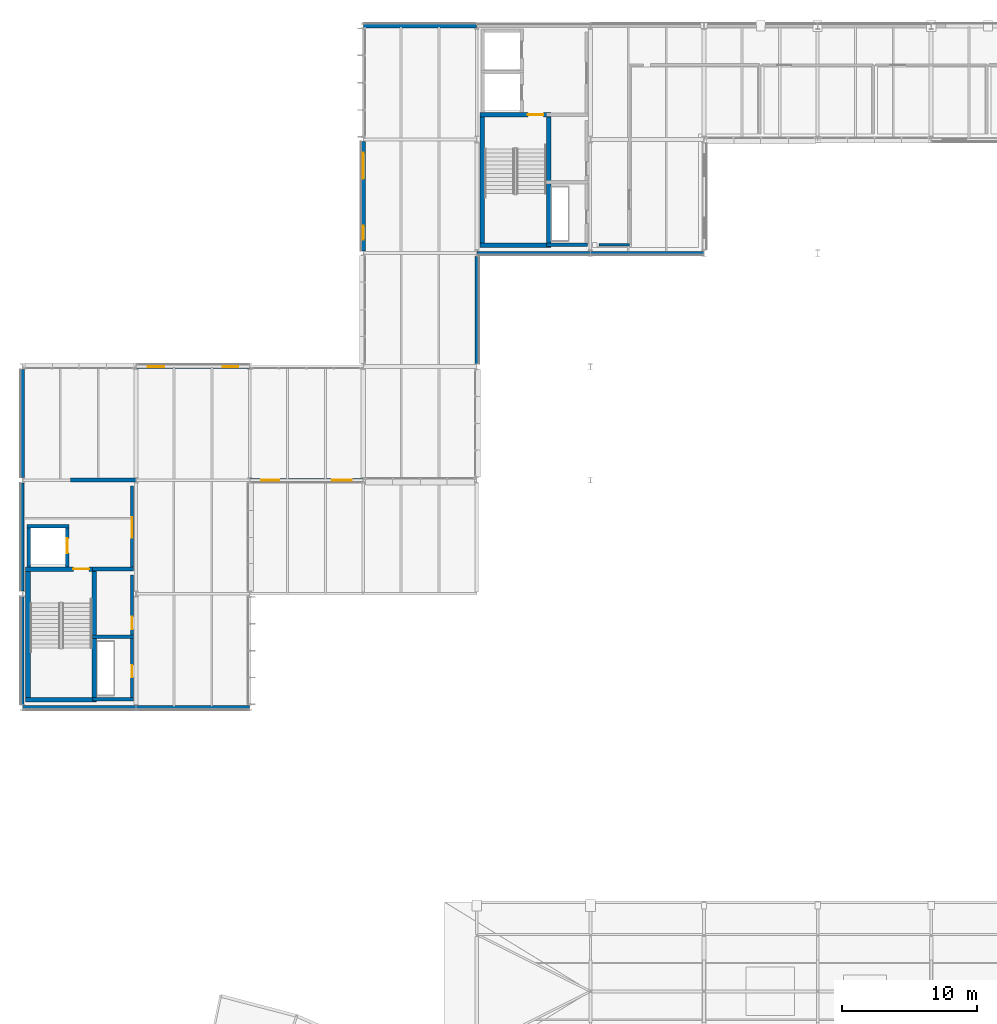
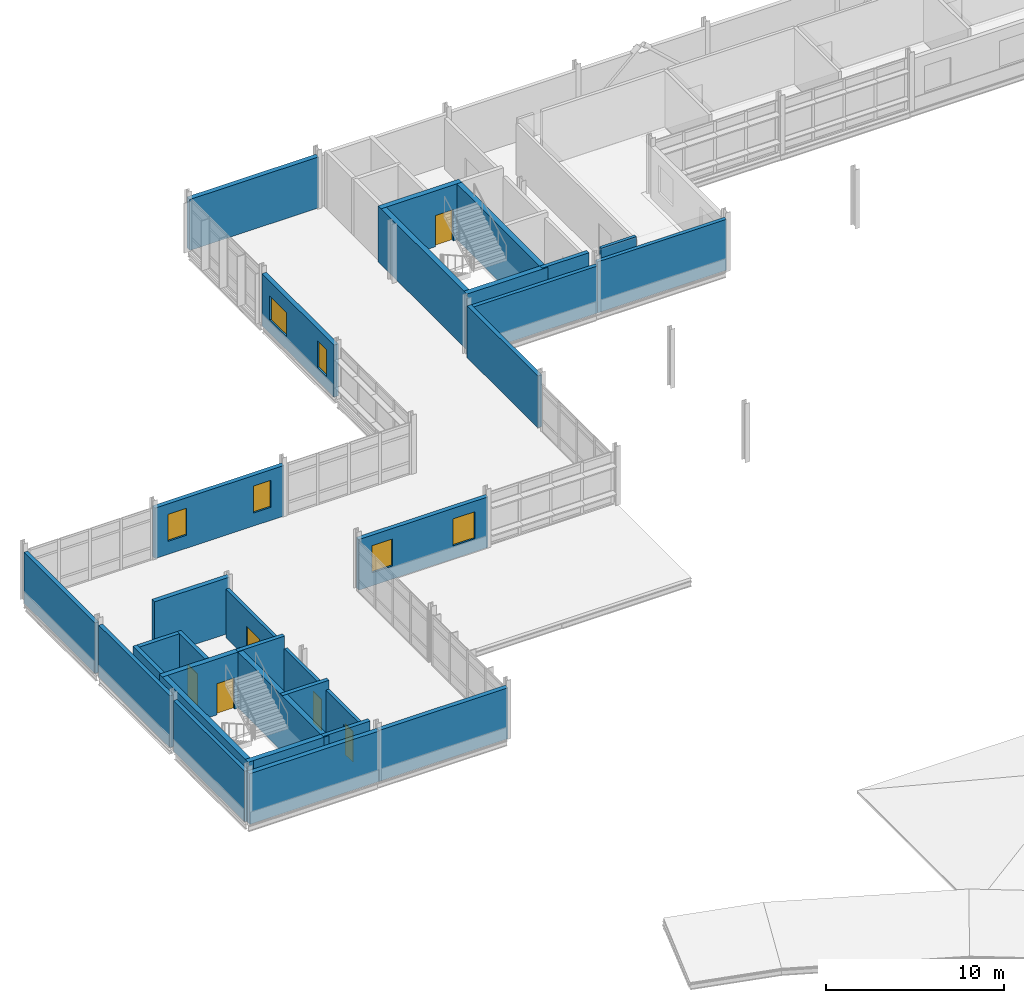
# One storey, part 124 of 151: 32 walls, 6 doors, 6 windows, 12 openings.
"""IFC4 building model written with IfcOpenShell, lengths in metres."""

from ifc_helpers import new_model, si_unit, direction, frame, frame_2d, origin, place, context, subcontext, project, spatial, rectangle, extrude, material, layer, layer_set, type_object, element, fill, save


model = new_model("IFC4")

# Units and contexts
model_context = context("Model", 3, precision=1e-05, world=origin(), true_north=direction((0.0, 1.0)))
body_context = subcontext(model_context, "Body", "Model", "MODEL_VIEW")
ifc_project = project(units=[si_unit("LENGTHUNIT", "METRE"), si_unit("AREAUNIT", "SQUARE_METRE"), si_unit("VOLUMEUNIT", "CUBIC_METRE"), si_unit("PLANEANGLEUNIT", "RADIAN"), si_unit("MASSUNIT", "GRAM", prefix="KILO")], contexts=[model_context])

# Site, building, storey
site_placement = place(None, origin())
site = spatial("IfcSite", under=ifc_project, at=site_placement, CompositionType="ELEMENT")
building_placement = place(site_placement, origin())
building = spatial("IfcBuilding", under=site, at=building_placement, Name="Mersafa Astral City Hall", CompositionType="ELEMENT")
storey_placement = place(building_placement, frame((0.0, 0.0, 9.89990234375)))
storey = spatial("IfcBuildingStorey", under=building, at=storey_placement, Name="L02", CompositionType="ELEMENT", Elevation=9.89990234375)

# Walls
ifc_material_1 = material(Name="Precast concrete C40/50 insulated terracotta spandrel", Category="masonry")
ifc_layer_1 = layer(ifc_material_1, 0.235107421875, Name="Precast concrete C40/50 insulated terracotta spandrel")
ifc_layer_set_1 = layer_set([ifc_layer_1], Name="Precast concrete C40/50 insulated terracotta spandrel — ENV-WAL-EXT-235")
wall_type_1 = type_object("IfcWallType", Name="ENV-WAL-EXT-235", PredefinedType="STANDARD", material=ifc_layer_set_1)
wall_1_placement = place(storey_placement, frame((8.39990234375, 83.803955078125, 0.0), z_axis=(0.0, 0.0, 1.0), x_axis=(0.0, -1.0, 0.0)))
element("IfcWall", 1, at=wall_1_placement, inside=storey, type_object=wall_type_1, Name="L02 Limestone-clad exterior wall 209", PredefinedType="STANDARD", context=body_context, shape_type="SweptSolid", body=[
    extrude(rectangle(XDim=8.008056640625, YDim=0.235107421875, at=frame_2d((4.00390625, 0.0))), origin(), (0.0, 0.0, 1.0), 3.47216796875),
])
wall_2_placement = place(storey_placement, frame((50.407958984375, 109.199951171875, 0.0), z_axis=(0.0, 0.0, 1.0), x_axis=(1.0, 0.0, 0.0)))
element("IfcWall", 2, at=wall_2_placement, inside=storey, type_object=wall_type_1, Name="L02 Limestone-clad exterior wall 215", PredefinedType="STANDARD", context=body_context, shape_type="SweptSolid", body=[
    extrude(rectangle(XDim=8.384033203125, YDim=0.235107421875, at=frame_2d((4.19189453125, 0.0))), origin(), (0.0, 0.0, 1.0), 3.502197265625),
])
ifc_layer_2 = layer(ifc_material_1, 0.25, Name="Precast concrete C40/50 insulated terracotta spandrel")
ifc_layer_set_2 = layer_set([ifc_layer_2], Name="Precast concrete C40/50 insulated terracotta spandrel — ENV-WAL-EXT-250")
wall_type_2 = type_object("IfcWallType", Name="ENV-WAL-EXT-250", PredefinedType="STANDARD", material=ifc_layer_set_2)
wall_3_placement = place(storey_placement, frame((8.39990234375, 92.2041015625, 0.0), z_axis=(0.0, 0.0, 1.0), x_axis=(0.0, -1.0, 0.0)))
element("IfcWall", 3, at=wall_3_placement, inside=storey, type_object=wall_type_2, Name="L02 Limestone-clad exterior wall 208", PredefinedType="STANDARD", context=body_context, shape_type="SweptSolid", body=[
    extrude(rectangle(XDim=8.008056640625, YDim=0.25, at=frame_2d((4.00390625, 0.0))), origin(), (0.0, 0.0, 1.0), 3.56201171875),
])
wall_4_placement = place(storey_placement, frame((42.008056640625, 109.199951171875, 0.0), z_axis=(0.0, 0.0, 1.0), x_axis=(1.0, 0.0, 0.0)))
element("IfcWall", 4, at=wall_4_placement, inside=storey, type_object=wall_type_2, Name="L02 Limestone-clad exterior wall 214", PredefinedType="STANDARD", context=body_context, shape_type="SweptSolid", body=[
    extrude(rectangle(XDim=8.384033203125, YDim=0.25, at=frame_2d((4.19189453125, 0.0))), origin(), (0.0, 0.0, 1.0), 3.232177734375),
])
ifc_material_2 = material(Name="Precast concrete C40/50 insulated limestone wall", Category="masonry")
ifc_layer_3 = layer(ifc_material_2, 0.264892578125, Name="Precast concrete C40/50 insulated limestone wall")
ifc_layer_set_3 = layer_set([ifc_layer_3], Name="Precast concrete C40/50 insulated limestone wall — ENV-WAL-EXT-265")
wall_type_3 = type_object("IfcWallType", Name="ENV-WAL-EXT-265", PredefinedType="STANDARD", material=ifc_layer_set_3)
wall_5_placement = place(storey_placement, frame((8.39990234375, 100.60400390625, 0.0), z_axis=(0.0, 0.0, 1.0), x_axis=(0.0, -1.0, 0.0)))
element("IfcWall", 5, at=wall_5_placement, inside=storey, type_object=wall_type_3, Name="L02 Limestone-clad exterior wall 207", PredefinedType="STANDARD", context=body_context, shape_type="SweptSolid", body=[
    extrude(rectangle(XDim=8.008056640625, YDim=0.264892578125, at=frame_2d((4.00390625, 0.0))), origin(), (0.0, 0.0, 1.0), 3.47216796875),
])
wall_6_placement = place(storey_placement, frame((42.0, 100.99609375, 0.0), z_axis=(0.0, 0.0, 1.0), x_axis=(0.0, 1.0, 0.0)))
element("IfcWall", 6, at=wall_6_placement, inside=storey, type_object=wall_type_3, Name="L02 Limestone-clad exterior wall 213", PredefinedType="STANDARD", context=body_context, shape_type="SweptSolid", body=[
    extrude(rectangle(XDim=7.9580078125, YDim=0.264892578125, at=frame_2d((3.97900390625, 0.0))), origin(), (0.0, 0.0, 1.0), 3.56201171875),
])

# Wall, openings, windows
ifc_layer_4 = layer(ifc_material_2, 0.280029296875, Name="Precast concrete C40/50 insulated limestone wall")
ifc_layer_set_4 = layer_set([ifc_layer_4], Name="Precast concrete C40/50 insulated limestone wall — ENV-WAL-EXT-280")
wall_type_4 = type_object("IfcWallType", Name="ENV-WAL-EXT-280", PredefinedType="STANDARD", material=ifc_layer_set_4)
wall_7_placement = place(storey_placement, frame((25.19189453125, 100.800048828125, 0.0), z_axis=(0.0, 0.0, 1.0), x_axis=(-1.0, 0.0, 0.0)))
wall_7 = element("IfcWall", 7, at=wall_7_placement, inside=storey, type_object=wall_type_4, Name="L02 Limestone-clad exterior wall 206", PredefinedType="STANDARD", context=body_context, shape_type="SweptSolid", body=[
    extrude(rectangle(XDim=8.3837890625, YDim=0.280029296875, at=frame_2d((4.19189453125, 0.0))), origin(), (0.0, 0.0, 1.0), 3.47216796875),
])
opening_1_placement = place(wall_7_placement, frame((0.85009765625, 0.0, 0.89990234375)))
opening_1 = element("IfcOpeningElement", 8, at=opening_1_placement, cuts=wall_7, Name="Opening W-42", PredefinedType="OPENING", context=body_context, shape_type="SweptSolid", body=[
    extrude(rectangle(XDim=1.1201171875, YDim=1.85009765625, at=frame_2d((0.56005859375, 0.925048828125))), frame((0.0, 0.14990234375, 0.0), z_axis=(0.0, -1.0, 0.0), x_axis=(1.0, 0.0, 0.0)), (0.0, 0.0, 1.0), 0.300048828125),
])
opening_2_placement = place(wall_7_placement, frame((6.31396484375, 0.0, 0.89990234375)))
opening_2 = element("IfcOpeningElement", 9, at=opening_2_placement, cuts=wall_7, Name="Opening W-43", PredefinedType="OPENING", context=body_context, shape_type="SweptSolid", body=[
    extrude(rectangle(XDim=1.219970703125, YDim=1.85009765625, at=frame_2d((0.60986328125, 0.925048828125))), frame((0.0, 0.14990234375, 0.0), z_axis=(0.0, -1.0, 0.0), x_axis=(1.0, 0.0, 0.0)), (0.0, 0.0, 1.0), 0.300048828125),
])
ifc_material_3 = material(Name="Solar control low-e double glazing in bronze frame", Category="glass")
window_type_1 = type_object("IfcWindowType", Name="ENV-WIN-W-42", PartitioningType="SINGLE_PANEL", PredefinedType="WINDOW", material=ifc_material_3)
window_1_placement = place(opening_1_placement, origin())
window_1 = element("IfcWindow", 10, at=window_1_placement, inside=storey, type_object=window_type_1, Name="L02 Solar punched window 206-L", OverallHeight=1.85009765625, OverallWidth=1.1201171875, PartitioningType="SINGLE_PANEL", PredefinedType="WINDOW", context=body_context, shape_type="SweptSolid", body=[
    extrude(rectangle(XDim=1.1201171875, YDim=1.85009765625, at=frame_2d((0.56005859375, 0.925048828125))), frame((0.0, 0.030029296875, 0.0), z_axis=(0.0, -1.0, 0.0), x_axis=(1.0, 0.0, 0.0)), (0.0, 0.0, 1.0), 0.06005859375),
])
fill(opening_1, window_1)
window_type_2 = type_object("IfcWindowType", Name="ENV-WIN-W-43", PartitioningType="SINGLE_PANEL", PredefinedType="WINDOW", material=ifc_material_3)
window_2_placement = place(opening_2_placement, origin())
window_2 = element("IfcWindow", 11, at=window_2_placement, inside=storey, type_object=window_type_2, Name="L02 Solar punched window 206-R", OverallHeight=1.85009765625, OverallWidth=1.219970703125, PartitioningType="SINGLE_PANEL", PredefinedType="WINDOW", context=body_context, shape_type="SweptSolid", body=[
    extrude(rectangle(XDim=1.219970703125, YDim=1.85009765625, at=frame_2d((0.60986328125, 0.925048828125))), frame((0.0, 0.030029296875, 0.0), z_axis=(0.0, -1.0, 0.0), x_axis=(1.0, 0.0, 0.0)), (0.0, 0.0, 1.0), 0.06005859375),
])
fill(opening_2, window_2)

wall_8_placement = place(storey_placement, frame((25.2080078125, 92.39990234375, 0.0), z_axis=(0.0, 0.0, 1.0), x_axis=(1.0, 0.0, 0.0)))
wall_8 = element("IfcWall", 12, at=wall_8_placement, inside=storey, type_object=wall_type_4, Name="L02 Limestone-clad exterior wall 212", PredefinedType="STANDARD", context=body_context, shape_type="SweptSolid", body=[
    extrude(rectangle(XDim=8.384033203125, YDim=0.280029296875, at=frame_2d((4.19189453125, 0.0))), origin(), (0.0, 0.0, 1.0), 3.47216796875),
])
opening_3_placement = place(wall_8_placement, frame((0.85009765625, 0.0, 0.89990234375)))
opening_3 = element("IfcOpeningElement", 13, at=opening_3_placement, cuts=wall_8, Name="Opening W-44", PredefinedType="OPENING", context=body_context, shape_type="SweptSolid", body=[
    extrude(rectangle(XDim=1.320068359375, YDim=1.85009765625, at=frame_2d((0.66015625, 0.925048828125))), frame((0.0, 0.14990234375, 0.0), z_axis=(0.0, -1.0, 0.0), x_axis=(1.0, 0.0, 0.0)), (0.0, 0.0, 1.0), 0.300048828125),
])
opening_4_placement = place(wall_8_placement, frame((6.114013671875, 0.0, 0.89990234375)))
opening_4 = element("IfcOpeningElement", 14, at=opening_4_placement, cuts=wall_8, Name="Opening W-45", PredefinedType="OPENING", context=body_context, shape_type="SweptSolid", body=[
    extrude(rectangle(XDim=1.419921875, YDim=1.85009765625, at=frame_2d((0.7099609375, 0.925048828125))), frame((0.0, 0.14990234375, 0.0), z_axis=(0.0, -1.0, 0.0), x_axis=(1.0, 0.0, 0.0)), (0.0, 0.0, 1.0), 0.300048828125),
])
window_type_3 = type_object("IfcWindowType", Name="ENV-WIN-W-44", PartitioningType="SINGLE_PANEL", PredefinedType="WINDOW", material=ifc_material_3)
window_3_placement = place(opening_3_placement, origin())
window_3 = element("IfcWindow", 15, at=window_3_placement, inside=storey, type_object=window_type_3, Name="L02 Solar punched window 212-L", OverallHeight=1.85009765625, OverallWidth=1.320068359375, PartitioningType="SINGLE_PANEL", PredefinedType="WINDOW", context=body_context, shape_type="SweptSolid", body=[
    extrude(rectangle(XDim=1.320068359375, YDim=1.85009765625, at=frame_2d((0.66015625, 0.925048828125))), frame((0.0, 0.030029296875, 0.0), z_axis=(0.0, -1.0, 0.0), x_axis=(1.0, 0.0, 0.0)), (0.0, 0.0, 1.0), 0.06005859375),
])
fill(opening_3, window_3)
window_type_4 = type_object("IfcWindowType", Name="ENV-WIN-W-45", PartitioningType="SINGLE_PANEL", PredefinedType="WINDOW", material=ifc_material_3)
window_4_placement = place(opening_4_placement, origin())
window_4 = element("IfcWindow", 16, at=window_4_placement, inside=storey, type_object=window_type_4, Name="L02 Solar punched window 212-R", OverallHeight=1.85009765625, OverallWidth=1.419921875, PartitioningType="SINGLE_PANEL", PredefinedType="WINDOW", context=body_context, shape_type="SweptSolid", body=[
    extrude(rectangle(XDim=1.419921875, YDim=1.85009765625, at=frame_2d((0.7099609375, 0.925048828125))), frame((0.0, 0.030029296875, 0.0), z_axis=(0.0, -1.0, 0.0), x_axis=(1.0, 0.0, 0.0)), (0.0, 0.0, 1.0), 0.06005859375),
])
fill(opening_4, window_4)

ifc_layer_5 = layer(ifc_material_2, 0.294921875, Name="Precast concrete C40/50 insulated limestone wall")
ifc_layer_set_5 = layer_set([ifc_layer_5], Name="Precast concrete C40/50 insulated limestone wall — ENV-WAL-EXT-295")
wall_type_5 = type_object("IfcWallType", Name="ENV-WAL-EXT-295", PredefinedType="STANDARD", material=ifc_layer_set_5)
wall_9_placement = place(storey_placement, frame((33.60009765625, 117.4541015625, 0.0), z_axis=(0.0, 0.0, 1.0), x_axis=(0.0, -1.0, 0.0)))
wall_9 = element("IfcWall", 17, at=wall_9_placement, inside=storey, type_object=wall_type_5, Name="L02 Limestone-clad exterior wall 205", PredefinedType="STANDARD", context=body_context, shape_type="SweptSolid", body=[
    extrude(rectangle(XDim=8.108154296875, YDim=0.294921875, at=frame_2d((4.05419921875, 0.0))), origin(), (0.0, 0.0, 1.0), 3.56201171875),
])
opening_5_placement = place(wall_9_placement, frame((0.85009765625, 0.0, 0.89990234375)))
opening_5 = element("IfcOpeningElement", 18, at=opening_5_placement, cuts=wall_9, Name="Opening W-40", PredefinedType="OPENING", context=body_context, shape_type="SweptSolid", body=[
    extrude(rectangle(XDim=1.919921875, YDim=1.64990234375, at=frame_2d((0.9599609375, 0.824951171875))), frame((0.0, 0.157470703125, 0.0), z_axis=(0.0, -1.0, 0.0), x_axis=(1.0, 0.0, 0.0)), (0.0, 0.0, 1.0), 0.31494140625),
])
opening_6_placement = place(wall_9_placement, frame((6.238037109375, 0.0, 0.89990234375)))
opening_6 = element("IfcOpeningElement", 19, at=opening_6_placement, cuts=wall_9, Name="Opening W-41", PredefinedType="OPENING", context=body_context, shape_type="SweptSolid", body=[
    extrude(rectangle(XDim=1.02001953125, YDim=1.85009765625, at=frame_2d((0.510009765625, 0.925048828125))), frame((0.0, 0.157470703125, 0.0), z_axis=(0.0, -1.0, 0.0), x_axis=(1.0, 0.0, 0.0)), (0.0, 0.0, 1.0), 0.31494140625),
])
window_type_5 = type_object("IfcWindowType", Name="ENV-WIN-W-40", PartitioningType="SINGLE_PANEL", PredefinedType="WINDOW", material=ifc_material_3)
window_5_placement = place(opening_5_placement, origin())
window_5 = element("IfcWindow", 20, at=window_5_placement, inside=storey, type_object=window_type_5, Name="L02 Solar punched window 205-L", OverallHeight=1.64990234375, OverallWidth=1.919921875, PartitioningType="SINGLE_PANEL", PredefinedType="WINDOW", context=body_context, shape_type="SweptSolid", body=[
    extrude(rectangle(XDim=1.919921875, YDim=1.64990234375, at=frame_2d((0.9599609375, 0.824951171875))), frame((0.0, 0.030029296875, 0.0), z_axis=(0.0, -1.0, 0.0), x_axis=(1.0, 0.0, 0.0)), (0.0, 0.0, 1.0), 0.06005859375),
])
fill(opening_5, window_5)
window_type_6 = type_object("IfcWindowType", Name="ENV-WIN-W-41", PartitioningType="SINGLE_PANEL", PredefinedType="WINDOW", material=ifc_material_3)
window_6_placement = place(opening_6_placement, origin())
window_6 = element("IfcWindow", 21, at=window_6_placement, inside=storey, type_object=window_type_6, Name="L02 Solar punched window 205-R", OverallHeight=1.85009765625, OverallWidth=1.02001953125, PartitioningType="SINGLE_PANEL", PredefinedType="WINDOW", context=body_context, shape_type="SweptSolid", body=[
    extrude(rectangle(XDim=1.02001953125, YDim=1.85009765625, at=frame_2d((0.510009765625, 0.925048828125))), frame((0.0, 0.030029296875, 0.0), z_axis=(0.0, -1.0, 0.0), x_axis=(1.0, 0.0, 0.0)), (0.0, 0.0, 1.0), 0.06005859375),
])
fill(opening_6, window_6)

# Walls
wall_10_placement = place(storey_placement, frame((16.80810546875, 75.60009765625, 0.0), z_axis=(0.0, 0.0, 1.0), x_axis=(1.0, 0.0, 0.0)))
element("IfcWall", 22, at=wall_10_placement, inside=storey, type_object=wall_type_5, Name="L02 Limestone-clad exterior wall 211", PredefinedType="STANDARD", context=body_context, shape_type="SweptSolid", body=[
    extrude(rectangle(XDim=8.3837890625, YDim=0.294921875, at=frame_2d((4.19189453125, 0.0))), origin(), (0.0, 0.0, 1.0), 3.502197265625),
])
ifc_layer_6 = layer(ifc_material_2, 0.31005859375, Name="Precast concrete C40/50 insulated limestone wall")
ifc_layer_set_6 = layer_set([ifc_layer_6], Name="Precast concrete C40/50 insulated limestone wall — ENV-WAL-EXT-310")
wall_type_6 = type_object("IfcWallType", Name="ENV-WAL-EXT-310", PredefinedType="STANDARD", material=ifc_layer_set_6)
wall_11_placement = place(storey_placement, frame((41.991943359375, 126.0, 0.0), z_axis=(0.0, 0.0, 1.0), x_axis=(-1.0, 0.0, 0.0)))
element("IfcWall", 23, at=wall_11_placement, inside=storey, type_object=wall_type_6, Name="L02 Limestone-clad exterior wall 204", PredefinedType="STANDARD", context=body_context, shape_type="SweptSolid", body=[
    extrude(rectangle(XDim=8.384033203125, YDim=0.31005859375, at=frame_2d((4.19189453125, 0.0))), origin(), (0.0, 0.0, 1.0), 3.502197265625),
])
wall_12_placement = place(storey_placement, frame((8.407958984375, 75.60009765625, 0.0), z_axis=(0.0, 0.0, 1.0), x_axis=(1.0, 0.0, 0.0)))
element("IfcWall", 24, at=wall_12_placement, inside=storey, type_object=wall_type_6, Name="L02 Limestone-clad exterior wall 210", PredefinedType="STANDARD", context=body_context, shape_type="SweptSolid", body=[
    extrude(rectangle(XDim=8.384033203125, YDim=0.31005859375, at=frame_2d((4.19189453125, 0.0))), origin(), (0.0, 0.0, 1.0), 3.47216796875),
])
ifc_material_4 = material(Name="Concrete C40/50", Category="concrete")
ifc_layer_7 = layer(ifc_material_4, 0.260009765625, Name="Concrete C40/50")
ifc_layer_set_7 = layer_set([ifc_layer_7], Name="Concrete C40/50 — INT-WAL-CORE-260")
wall_type_7 = type_object("IfcWallType", Name="INT-WAL-CORE-260", PredefinedType="SHEAR", material=ifc_layer_set_7)
wall_13_placement = place(storey_placement, frame((47.1650390625, 109.820068359375, 0.0), z_axis=(0.0, 0.0, 1.0), x_axis=(1.0, 0.0, 0.0)))
element("IfcWall", 25, at=wall_13_placement, inside=storey, type_object=wall_type_7, Name="L02 Core K3 riser south wall", PredefinedType="SHEAR", context=body_context, shape_type="SweptSolid", body=[
    extrude(rectangle(XDim=3.034912109375, YDim=0.260009765625, at=frame_2d((1.517578125, 0.0))), origin(), (0.0, 0.0, 1.0), 3.840087890625),
])
wall_14_placement = place(storey_placement, frame((8.715087890625, 88.985107421875, 0.0), z_axis=(0.0, 0.0, 1.0), x_axis=(1.0, 0.0, 0.0)))
element("IfcWall", 26, at=wall_14_placement, inside=storey, type_object=wall_type_7, Name="L02 Lift LF8 north shaft wall", PredefinedType="SHEAR", context=body_context, shape_type="SweptSolid", body=[
    extrude(rectangle(XDim=3.1298828125, YDim=0.260009765625, at=frame_2d((1.56494140625, 0.0))), origin(), (0.0, 0.0, 1.0), 3.840087890625),
])
wall_15_placement = place(storey_placement, frame((8.844970703125, 85.9970703125, 0.0), z_axis=(0.0, 0.0, 1.0), x_axis=(0.0, 1.0, 0.0)))
element("IfcWall", 27, at=wall_15_placement, inside=storey, type_object=wall_type_7, Name="L02 Lift LF8 back shaft wall", PredefinedType="SHEAR", context=body_context, shape_type="SweptSolid", body=[
    extrude(rectangle(XDim=3.117919921875, YDim=0.260009765625, at=frame_2d((1.55908203125, 0.0))), origin(), (0.0, 0.0, 1.0), 3.840087890625),
])

# Wall, opening, door
wall_16_placement = place(storey_placement, frame((11.715087890625, 85.9970703125, 0.0), z_axis=(0.0, 0.0, 1.0), x_axis=(0.0, 1.0, 0.0)))
wall_16 = element("IfcWall", 28, at=wall_16_placement, inside=storey, type_object=wall_type_7, Name="L02 Lift LF8 front shaft wall", PredefinedType="SHEAR", context=body_context, shape_type="SweptSolid", body=[
    extrude(rectangle(XDim=3.117919921875, YDim=0.260009765625, at=frame_2d((1.55908203125, 0.0))), origin(), (0.0, 0.0, 1.0), 3.840087890625),
])
opening_7_placement = place(wall_16_placement, frame((1.009033203125, 0.0, 0.0)))
opening_7 = element("IfcOpeningElement", 29, at=opening_7_placement, cuts=wall_16, Name="Opening LD-1", PredefinedType="OPENING", context=body_context, shape_type="SweptSolid", body=[
    extrude(rectangle(XDim=1.10009765625, YDim=2.14990234375, at=frame_2d((0.550048828125, 1.074951171875))), frame((0.0, 0.139892578125, 0.0), z_axis=(0.0, -1.0, 0.0), x_axis=(1.0, 0.0, 0.0)), (0.0, 0.0, 1.0), 0.280029296875),
])
ifc_material_5 = material(Name="Stainless steel sliding lift landing door", Category="steel")
door_type_1 = type_object("IfcDoorType", Name="INT-DR-LIFT-LD1", OperationType="NOTDEFINED", PredefinedType="DOOR", material=ifc_material_5)
door_1_placement = place(opening_7_placement, origin())
door_1 = element("IfcDoor", 30, at=door_1_placement, inside=storey, type_object=door_type_1, Name="Elevator LF8 Sliding Landing Door L02", OperationType="DOUBLE_DOOR_SLIDING", OverallHeight=2.14990234375, OverallWidth=1.10009765625, PredefinedType="DOOR", context=body_context, shape_type="SweptSolid", body=[
    extrude(rectangle(XDim=1.10009765625, YDim=2.14990234375, at=frame_2d((0.550048828125, 1.074951171875))), frame((0.0, 0.02490234375, 0.0), z_axis=(0.0, -1.0, 0.0), x_axis=(1.0, 0.0, 0.0)), (0.0, 0.0, 1.0), 0.050048828125),
])
fill(opening_7, door_1)

# Walls
for number, where, z_axis, x_axis, name in (
    (31, (13.56494140625, 76.219970703125, 0.0), (0.0, 0.0, 1.0), (1.0, 0.0, 0.0), "L02 Core K6 riser south wall"),
    (32, (13.56494140625, 80.8349609375, 0.0), (0.0, 0.0, 1.0), (1.0, 0.0, 0.0), "L02 Core K6 riser-restroom divider wall"),
    (33, (13.56494140625, 85.8349609375, 0.0), (0.0, 0.0, 1.0), (1.0, 0.0, 0.0), "L02 Core K6 restroom-lobby divider wall"),
):
    element("IfcWall", number, at=place(storey_placement, frame(where, z_axis=z_axis, x_axis=x_axis)), inside=storey, type_object=wall_type_7, Name=name, PredefinedType="SHEAR", context=body_context, shape_type="SweptSolid", body=[
        extrude(rectangle(XDim=3.03515625, YDim=0.260009765625, at=frame_2d((1.517578125, 0.0))), origin(), (0.0, 0.0, 1.0), 3.840087890625),
    ])
ifc_layer_8 = layer(ifc_material_4, 0.300048828125, Name="Concrete C40/50")
ifc_layer_set_8 = layer_set([ifc_layer_8], Name="Concrete C40/50 — INT-WAL-CORE-300")
wall_type_8 = type_object("IfcWallType", Name="INT-WAL-CORE-300", PredefinedType="SHEAR", material=ifc_layer_set_8)
wall_17_placement = place(storey_placement, frame((11.949951171875, 92.409912109375, 0.0), z_axis=(0.0, 0.0, 1.0), x_axis=(1.0, 0.0, 0.0)))
element("IfcWall", 34, at=wall_17_placement, inside=storey, type_object=wall_type_8, Name="L02 Core K6 lobby north shear wall", PredefinedType="SHEAR", context=body_context, shape_type="SweptSolid", body=[
    extrude(rectangle(XDim=4.8701171875, YDim=0.300048828125, at=frame_2d((2.43505859375, 0.0))), origin(), (0.0, 0.0, 1.0), 3.840087890625),
])
ifc_layer_9 = layer(ifc_material_4, 0.340087890625, Name="Concrete C40/50")
ifc_layer_set_9 = layer_set([ifc_layer_9], Name="Concrete C40/50 — INT-WAL-CORE-340")
wall_type_9 = type_object("IfcWallType", Name="INT-WAL-CORE-340", PredefinedType="SHEAR", material=ifc_layer_set_9)
for number, where, z_axis, x_axis, name in (
    (35, (42.405029296875, 109.60498046875, 0.0), (0.0, 0.0, 1.0), (0.0, 1.0, 0.0), "L02 Core K3 stair west shear wall"),
    (36, (47.31494140625, 109.60498046875, 0.0), (0.0, 0.0, 1.0), (0.0, 1.0, 0.0), "L02 Core K3 stair east shear wall"),
):
    element("IfcWall", number, at=place(storey_placement, frame(where, z_axis=z_axis, x_axis=x_axis)), inside=storey, type_object=wall_type_9, Name=name, PredefinedType="SHEAR", context=body_context, shape_type="SweptSolid", body=[
        extrude(rectangle(XDim=9.989990234375, YDim=0.340087890625, at=frame_2d((4.9951171875, 0.0))), origin(), (0.0, 0.0, 1.0), 3.840087890625),
    ])
wall_18_placement = place(storey_placement, frame((42.235107421875, 109.77490234375, 0.0), z_axis=(0.0, 0.0, 1.0), x_axis=(1.0, 0.0, 0.0)))
element("IfcWall", 37, at=wall_18_placement, inside=storey, type_object=wall_type_9, Name="L02 Core K3 stair south shear wall", PredefinedType="SHEAR", context=body_context, shape_type="SweptSolid", body=[
    extrude(rectangle(XDim=5.25, YDim=0.340087890625, at=frame_2d((2.625, 0.0))), origin(), (0.0, 0.0, 1.0), 3.840087890625),
])

# Wall, opening, door
wall_19_placement = place(storey_placement, frame((42.235107421875, 119.425048828125, 0.0), z_axis=(0.0, 0.0, 1.0), x_axis=(1.0, 0.0, 0.0)))
wall_19 = element("IfcWall", 38, at=wall_19_placement, inside=storey, type_object=wall_type_9, Name="L02 Core K3 stair-lobby fire wall", PredefinedType="SHEAR", context=body_context, shape_type="SweptSolid", body=[
    extrude(rectangle(XDim=5.25, YDim=0.340087890625, at=frame_2d((2.625, 0.0))), origin(), (0.0, 0.0, 1.0), 3.840087890625),
])
opening_8_placement = place(wall_19_placement, frame((3.534912109375, 0.0, 0.0)))
opening_8 = element("IfcOpeningElement", 39, at=opening_8_placement, cuts=wall_19, Name="Opening CD-1", PredefinedType="OPENING", context=body_context, shape_type="SweptSolid", body=[
    extrude(rectangle(XDim=1.14990234375, YDim=2.14990234375, at=frame_2d((0.574951171875, 1.074951171875))), frame((0.0, 0.179931640625, 0.0), z_axis=(0.0, -1.0, 0.0), x_axis=(1.0, 0.0, 0.0)), (0.0, 0.0, 1.0), 0.360107421875),
])
ifc_material_6 = material(Name="Fire-rated steel stair door", Category="steel")
door_type_2 = type_object("IfcDoorType", Name="INT-DR-STAIR-FD90-1150", OperationType="NOTDEFINED", PredefinedType="DOOR", material=ifc_material_6)
door_2_placement = place(opening_8_placement, origin())
door_2 = element("IfcDoor", 40, at=door_2_placement, inside=storey, type_object=door_type_2, Name="L02 Protected Stair ST3 Door", OperationType="SINGLE_SWING_LEFT", OverallHeight=2.14990234375, OverallWidth=1.14990234375, PredefinedType="DOOR", context=body_context, shape_type="SweptSolid", body=[
    extrude(rectangle(XDim=1.14990234375, YDim=2.14990234375, at=frame_2d((0.574951171875, 1.074951171875))), frame((0.0, 0.02490234375, 0.0), z_axis=(0.0, -1.0, 0.0), x_axis=(1.0, 0.0, 0.0)), (0.0, 0.0, 1.0), 0.050048828125),
])
fill(opening_8, door_2)

# Walls
for number, where, z_axis, x_axis, name in (
    (41, (8.804931640625, 76.0048828125, 0.0), (0.0, 0.0, 1.0), (0.0, 1.0, 0.0), "L02 Core K6 stair west shear wall"),
    (42, (13.715087890625, 76.0048828125, 0.0), (0.0, 0.0, 1.0), (0.0, 1.0, 0.0), "L02 Core K6 stair east shear wall"),
):
    element("IfcWall", number, at=place(storey_placement, frame(where, z_axis=z_axis, x_axis=x_axis)), inside=storey, type_object=wall_type_9, Name=name, PredefinedType="SHEAR", context=body_context, shape_type="SweptSolid", body=[
        extrude(rectangle(XDim=9.990234375, YDim=0.340087890625, at=frame_2d((4.9951171875, 0.0))), origin(), (0.0, 0.0, 1.0), 3.840087890625),
    ])
wall_20_placement = place(storey_placement, frame((8.635009765625, 76.175048828125, 0.0), z_axis=(0.0, 0.0, 1.0), x_axis=(1.0, 0.0, 0.0)))
element("IfcWall", 43, at=wall_20_placement, inside=storey, type_object=wall_type_9, Name="L02 Core K6 stair south shear wall", PredefinedType="SHEAR", context=body_context, shape_type="SweptSolid", body=[
    extrude(rectangle(XDim=5.25, YDim=0.340087890625, at=frame_2d((2.625, 0.0))), origin(), (0.0, 0.0, 1.0), 3.840087890625),
])

# Wall, opening, door
wall_21_placement = place(storey_placement, frame((8.635009765625, 85.824951171875, 0.0), z_axis=(0.0, 0.0, 1.0), x_axis=(1.0, 0.0, 0.0)))
wall_21 = element("IfcWall", 44, at=wall_21_placement, inside=storey, type_object=wall_type_9, Name="L02 Core K6 stair-lobby fire wall", PredefinedType="SHEAR", context=body_context, shape_type="SweptSolid", body=[
    extrude(rectangle(XDim=5.25, YDim=0.340087890625, at=frame_2d((2.625, 0.0))), origin(), (0.0, 0.0, 1.0), 3.840087890625),
])
opening_9_placement = place(wall_21_placement, frame((3.534912109375, 0.0, 0.0)))
opening_9 = element("IfcOpeningElement", 45, at=opening_9_placement, cuts=wall_21, Name="Opening CD-1", PredefinedType="OPENING", context=body_context, shape_type="SweptSolid", body=[
    extrude(rectangle(XDim=1.14990234375, YDim=2.14990234375, at=frame_2d((0.574951171875, 1.074951171875))), frame((0.0, 0.179931640625, 0.0), z_axis=(0.0, -1.0, 0.0), x_axis=(1.0, 0.0, 0.0)), (0.0, 0.0, 1.0), 0.360107421875),
])
door_3_placement = place(opening_9_placement, origin())
door_3 = element("IfcDoor", 46, at=door_3_placement, inside=storey, type_object=door_type_2, Name="L02 Protected Stair ST6 Door", OperationType="SINGLE_SWING_LEFT", OverallHeight=2.14990234375, OverallWidth=1.14990234375, PredefinedType="DOOR", context=body_context, shape_type="SweptSolid", body=[
    extrude(rectangle(XDim=1.14990234375, YDim=2.14990234375, at=frame_2d((0.574951171875, 1.074951171875))), frame((0.0, 0.02490234375, 0.0), z_axis=(0.0, -1.0, 0.0), x_axis=(1.0, 0.0, 0.0)), (0.0, 0.0, 1.0), 0.050048828125),
])
fill(opening_9, door_3)

# Wall
ifc_material_7 = material(Name="Acoustic twin-stud gypsum partition", Category="gypsum")
ifc_layer_10 = layer(ifc_material_7, 0.195068359375, Name="Acoustic twin-stud gypsum partition")
ifc_layer_set_10 = layer_set([ifc_layer_10], Name="Acoustic twin-stud gypsum partition — INT-WAL-PART-EI60-195")
wall_type_10 = type_object("IfcWallType", Name="INT-WAL-PART-EI60-195", PredefinedType="STANDARD", material=ifc_layer_set_10)
wall_22_placement = place(storey_placement, frame((51.02001953125, 109.820068359375, -0.00390625), z_axis=(0.0, 0.0, 1.0), x_axis=(1.0, 0.0, 0.0)))
element("IfcWall", 47, at=wall_22_placement, inside=storey, type_object=wall_type_10, Name="L02 Interior partition wall 453", PredefinedType="STANDARD", context=body_context, shape_type="SweptSolid", body=[
    extrude(rectangle(XDim=2.280029296875, YDim=0.195068359375, at=frame_2d((1.14013671875, 0.0))), origin(), (0.0, 0.0, 1.0), 3.843994140625),
])

# Wall, opening, door
ifc_material_8 = material(Name="Autoclaved aerated concrete blockwork plastered", Category="masonry")
ifc_layer_11 = layer(ifc_material_8, 0.2099609375, Name="Autoclaved aerated concrete blockwork plastered")
ifc_layer_set_11 = layer_set([ifc_layer_11], Name="Autoclaved aerated concrete blockwork plastered — INT-WAL-PART-EI60-210")
wall_type_11 = type_object("IfcWallType", Name="INT-WAL-PART-EI60-210", PredefinedType="STANDARD", material=ifc_layer_set_11)
wall_23_placement = place(storey_placement, frame((16.5, 76.219970703125, 0.0), z_axis=(0.0, 0.0, 1.0), x_axis=(0.0, 1.0, 0.0)))
wall_23 = element("IfcWall", 48, at=wall_23_placement, inside=storey, type_object=wall_type_11, Name="L02 Core K6 riser corridor partition", PredefinedType="STANDARD", context=body_context, shape_type="SweptSolid", body=[
    extrude(rectangle(XDim=4.590087890625, YDim=0.2099609375, at=frame_2d((2.294921875, 0.0))), origin(), (0.0, 0.0, 1.0), 3.232177734375),
])
opening_10_placement = place(wall_23_placement, frame((1.60009765625, 0.0, 0.0)))
opening_10 = element("IfcOpeningElement", 49, at=opening_10_placement, cuts=wall_23, Name="Opening CD-5", PredefinedType="OPENING", context=body_context, shape_type="SweptSolid", body=[
    extrude(rectangle(XDim=0.89990234375, YDim=2.10009765625, at=frame_2d((0.449951171875, 1.050048828125))), frame((0.0, 0.114990234375, 0.0), z_axis=(0.0, -1.0, 0.0), x_axis=(1.0, 0.0, 0.0)), (0.0, 0.0, 1.0), 0.22998046875),
])
ifc_material_9 = material(Name="Fire-rated steel riser access door", Category="steel")
door_type_3 = type_object("IfcDoorType", Name="INT-DR-RISER-FD60-900", OperationType="NOTDEFINED", PredefinedType="DOOR", material=ifc_material_9)
door_4_placement = place(opening_10_placement, origin())
door_4 = element("IfcDoor", 50, at=door_4_placement, inside=storey, type_object=door_type_3, Name="L02 K6 MEP Riser Access Door", OperationType="SINGLE_SWING_RIGHT", OverallHeight=2.10009765625, OverallWidth=0.89990234375, PredefinedType="DOOR", context=body_context, shape_type="SweptSolid", body=[
    extrude(rectangle(XDim=0.89990234375, YDim=2.10009765625, at=frame_2d((0.449951171875, 1.050048828125))), frame((0.0, 0.02490234375, 0.0), z_axis=(0.0, -1.0, 0.0), x_axis=(1.0, 0.0, 0.0)), (0.0, 0.0, 1.0), 0.050048828125),
])
fill(opening_10, door_4)

wall_24_placement = place(storey_placement, frame((16.5, 80.919921875, 0.0), z_axis=(0.0, 0.0, 1.0), x_axis=(0.0, 1.0, 0.0)))
wall_24 = element("IfcWall", 51, at=wall_24_placement, inside=storey, type_object=wall_type_11, Name="L02 Core K6 accessible WC corridor partition", PredefinedType="STANDARD", context=body_context, shape_type="SweptSolid", body=[
    extrude(rectangle(XDim=4.47998046875, YDim=0.2099609375, at=frame_2d((2.239990234375, 0.0))), origin(), (0.0, 0.0, 1.0), 3.232177734375),
])
opening_11_placement = place(wall_24_placement, frame((0.449951171875, 0.0, 0.0)))
opening_11 = element("IfcOpeningElement", 52, at=opening_11_placement, cuts=wall_24, Name="Opening CD-4", PredefinedType="OPENING", context=body_context, shape_type="SweptSolid", body=[
    extrude(rectangle(XDim=0.949951171875, YDim=2.14990234375, at=frame_2d((0.47509765625, 1.074951171875))), frame((0.0, 0.114990234375, 0.0), z_axis=(0.0, -1.0, 0.0), x_axis=(1.0, 0.0, 0.0)), (0.0, 0.0, 1.0), 0.22998046875),
])
ifc_material_10 = material(Name="Accessible timber acoustic WC door", Category="wood")
door_type_4 = type_object("IfcDoorType", Name="INT-DR-WC-FD30-950", OperationType="NOTDEFINED", PredefinedType="DOOR", material=ifc_material_10)
door_5_placement = place(opening_11_placement, origin())
door_5 = element("IfcDoor", 53, at=door_5_placement, inside=storey, type_object=door_type_4, Name="L02 K6 Accessible Restroom Door", OperationType="SINGLE_SWING_LEFT", OverallHeight=2.14990234375, OverallWidth=0.949951171875, PredefinedType="DOOR", context=body_context, shape_type="SweptSolid", body=[
    extrude(rectangle(XDim=0.949951171875, YDim=2.14990234375, at=frame_2d((0.47509765625, 1.074951171875))), frame((0.0, 0.02490234375, 0.0), z_axis=(0.0, -1.0, 0.0), x_axis=(1.0, 0.0, 0.0)), (0.0, 0.0, 1.0), 0.050048828125),
])
fill(opening_11, door_5)

wall_25_placement = place(storey_placement, frame((16.5, 85.840087890625, 0.0), z_axis=(0.0, 0.0, 1.0), x_axis=(0.0, 1.0, 0.0)))
wall_25 = element("IfcWall", 54, at=wall_25_placement, inside=storey, type_object=wall_type_11, Name="L02 Core K6 lobby corridor partition", PredefinedType="STANDARD", context=body_context, shape_type="SweptSolid", body=[
    extrude(rectangle(XDim=6.119873046875, YDim=0.2099609375, at=frame_2d((3.06005859375, 0.0))), origin(), (0.0, 0.0, 1.0), 3.342041015625),
])
opening_12_placement = place(wall_25_placement, frame((2.31005859375, 0.0, 0.0)))
opening_12 = element("IfcOpeningElement", 55, at=opening_12_placement, cuts=wall_25, Name="Opening CD-3", PredefinedType="OPENING", context=body_context, shape_type="SweptSolid", body=[
    extrude(rectangle(XDim=1.5, YDim=2.199951171875, at=frame_2d((0.75, 1.10009765625))), frame((0.0, 0.114990234375, 0.0), z_axis=(0.0, -1.0, 0.0), x_axis=(1.0, 0.0, 0.0)), (0.0, 0.0, 1.0), 0.22998046875),
])
ifc_material_11 = material(Name="Fire-rated glazed lobby door pair", Category="metal")
door_type_5 = type_object("IfcDoorType", Name="INT-DR-LOBBY-FD90-1500", OperationType="NOTDEFINED", PredefinedType="DOOR", material=ifc_material_11)
door_6_placement = place(opening_12_placement, origin())
door_6 = element("IfcDoor", 56, at=door_6_placement, inside=storey, type_object=door_type_5, Name="L02 K6 Lift Lobby Fire Door", OperationType="DOUBLE_DOOR_SINGLE_SWING", OverallHeight=2.199951171875, OverallWidth=1.5, PredefinedType="DOOR", context=body_context, shape_type="SweptSolid", body=[
    extrude(rectangle(XDim=1.5, YDim=2.199951171875, at=frame_2d((0.75, 1.10009765625))), frame((0.0, 0.02490234375, 0.0), z_axis=(0.0, -1.0, 0.0), x_axis=(1.0, 0.0, 0.0)), (0.0, 0.0, 1.0), 0.050048828125),
])
fill(opening_12, door_6)

save(model, "model.ifc")
